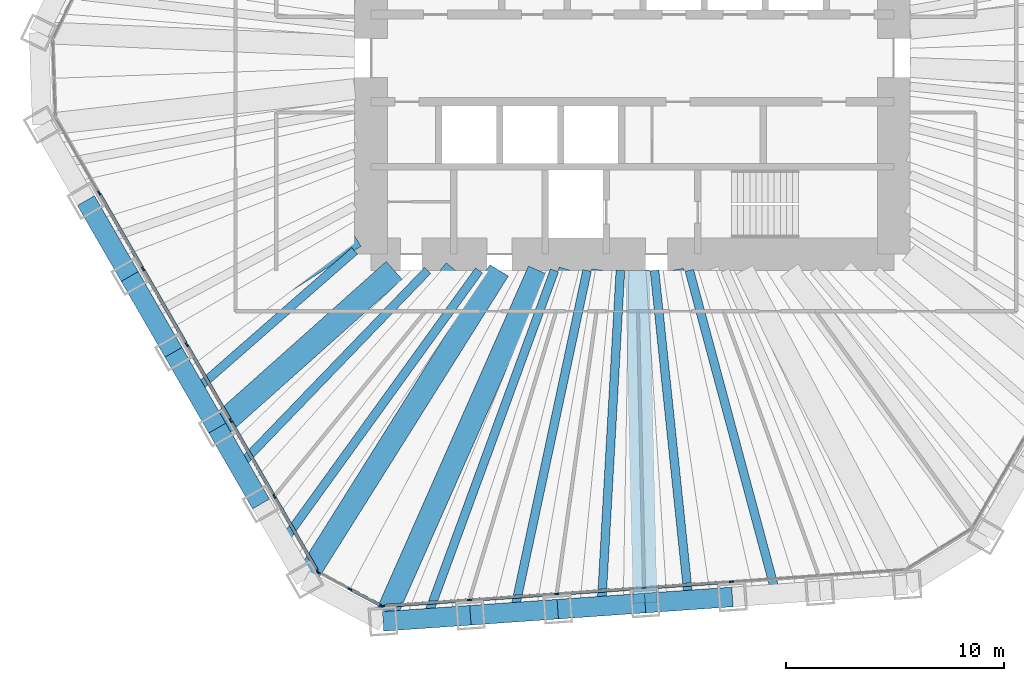
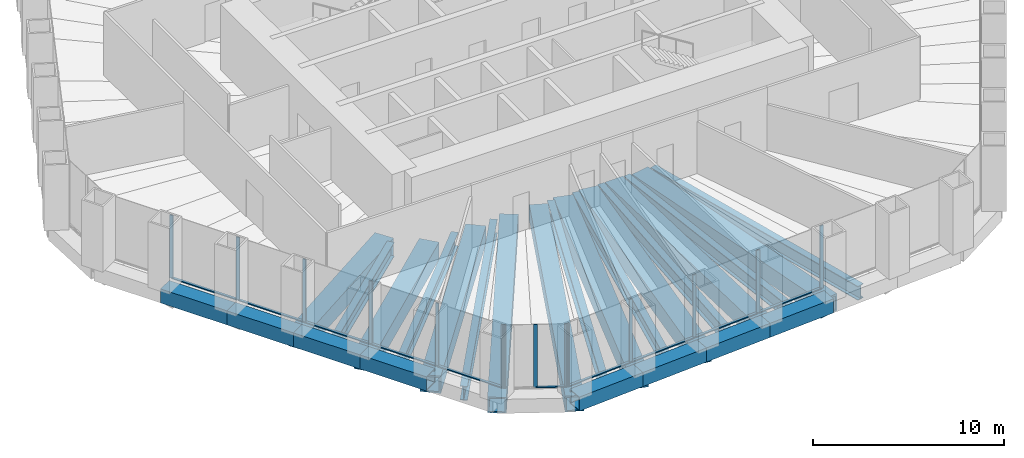
# One storey, part 2 of 12: 25 beams, 24 members, 3 elements without a shape of their own.
"""IFC4 building model written with IfcOpenShell, lengths in metres."""

from ifc_helpers import new_model, si_unit, direction, frame, origin, origin_2d, place, context, subcontext, project, spatial, rectangle, hollow_rectangle, i_section, extrude, material, material_profile, profile_set, type_object, element, aggregate, save


model = new_model("IFC4")

# Units and contexts
model_context = context("Model", 3, precision=1e-05, world=origin(), true_north=direction((0.0, 1.0)))
body_context = subcontext(model_context, "Body", "Model", "MODEL_VIEW")
ifc_project = project(units=[si_unit("LENGTHUNIT", "METRE"), si_unit("AREAUNIT", "SQUARE_METRE"), si_unit("VOLUMEUNIT", "CUBIC_METRE"), si_unit("PLANEANGLEUNIT", "RADIAN"), si_unit("MASSUNIT", "GRAM", prefix="KILO")], contexts=[model_context])

# Site, building, storey
site_placement = place(None, origin())
site = spatial("IfcSite", under=ifc_project, at=site_placement, CompositionType="ELEMENT")
building_placement = place(site_placement, origin())
building = spatial("IfcBuilding", under=site, at=building_placement, Name="Qingtian Harvest Tower", CompositionType="ELEMENT")
storey_placement = place(building_placement, frame((0.0, 0.0, 107.199951171875)))
storey = spatial("IfcBuildingStorey", under=building, at=storey_placement, Name="L21", CompositionType="ELEMENT", Elevation=107.199951171875)

# Beams
ifc_material_1 = material(Name="Steel SN490B", Category="steel")
ifc_material_profile_1 = material_profile(ifc_material_1, i_section(OverallWidth=0.39990234375, OverallDepth=0.89990234375, WebThickness=0.01904296875, FlangeThickness=0.035888671875, at=origin_2d()), Name="H900x400x19x36")
ifc_profile_set_1 = profile_set([ifc_material_profile_1], Name="Steel SN490B")
beam_type_1 = type_object("IfcBeamType", Name="Floor joist J4 H900x400x19x36", PredefinedType="JOIST", material=ifc_profile_set_1)
beam_1_placement = place(storey_placement, frame((6.59619140625, -24.599853515625, -0.619873046875), z_axis=(-0.258996688759, 0.965878209306, 0.0), x_axis=(-0.965878209306, -0.258996688759, 0.0)))
element("IfcBeam", 1, at=beam_1_placement, inside=storey, type_object=beam_type_1, Name="Floor joist J4 S1", PredefinedType="JOIST", context=body_context, shape_type="SweptSolid", body=[
    extrude(i_section(OverallWidth=0.39990234375, OverallDepth=0.89990234375, WebThickness=0.01904296875, FlangeThickness=0.035888671875, at=origin_2d()), origin(), (0.0, 0.0, 1.0), 15.37451171875),
])
beam_2_placement = place(storey_placement, frame((2.5869140625, -24.880126953125, -0.619873046875), z_axis=(-0.103423163361, 0.994637446148, 0.0), x_axis=(-0.994637446148, -0.103423163361, 0.0)))
element("IfcBeam", 2, at=beam_2_placement, inside=storey, type_object=beam_type_1, Name="Floor joist J4 S2", PredefinedType="JOIST", context=body_context, shape_type="SweptSolid", body=[
    extrude(i_section(OverallWidth=0.39990234375, OverallDepth=0.89990234375, WebThickness=0.01904296875, FlangeThickness=0.035888671875, at=origin_2d()), origin(), (0.0, 0.0, 1.0), 15.211669921875),
])
beam_3_placement = place(storey_placement, frame((-1.42236328125, -25.160400390625, -0.619873046875), z_axis=(0.05643626267, 0.998406204035, 0.0), x_axis=(-0.998406204035, 0.05643626267, 0.0)))
element("IfcBeam", 3, at=beam_3_placement, inside=storey, type_object=beam_type_1, Name="Floor joist J4 S3", PredefinedType="JOIST", context=body_context, shape_type="SweptSolid", body=[
    extrude(i_section(OverallWidth=0.39990234375, OverallDepth=0.89990234375, WebThickness=0.01904296875, FlangeThickness=0.035888671875, at=origin_2d()), origin(), (0.0, 0.0, 1.0), 15.43505859375),
])
beam_4_placement = place(storey_placement, frame((-5.431640625, -25.44091796875, -0.619873046875), z_axis=(0.208799533611, 0.977958462699, 0.0), x_axis=(-0.977958462699, 0.208799533611, 0.0)))
element("IfcBeam", 4, at=beam_4_placement, inside=storey, type_object=beam_type_1, Name="Floor joist J4 S4", PredefinedType="JOIST", context=body_context, shape_type="SweptSolid", body=[
    extrude(i_section(OverallWidth=0.39990234375, OverallDepth=0.89990234375, WebThickness=0.01904296875, FlangeThickness=0.035888671875, at=origin_2d()), origin(), (0.0, 0.0, 1.0), 16.044677734375),
])
beam_5_placement = place(storey_placement, frame((-9.44091796875, -25.72119140625, -0.619873046875), z_axis=(0.344563279886, 0.938763093732, 0.0), x_axis=(-0.938763093732, 0.344563279886, 0.0)))
element("IfcBeam", 5, at=beam_5_placement, inside=storey, type_object=beam_type_1, Name="Floor joist J4 S5", PredefinedType="JOIST", context=body_context, shape_type="SweptSolid", body=[
    extrude(i_section(OverallWidth=0.39990234375, OverallDepth=0.89990234375, WebThickness=0.01904296875, FlangeThickness=0.035888671875, at=origin_2d()), origin(), (0.0, 0.0, 1.0), 17.012939453125),
])
beam_6_placement = place(storey_placement, frame((-16.04443359375, -22.2099609375, -0.619873046875), z_axis=(0.585581016658, 0.810613886465, 0.0), x_axis=(-0.810613886465, 0.585581016658, 0.0)))
element("IfcBeam", 6, at=beam_6_placement, inside=storey, type_object=beam_type_1, Name="Floor joist J4 SW0", PredefinedType="JOIST", context=body_context, shape_type="SweptSolid", body=[
    extrude(i_section(OverallWidth=0.39990234375, OverallDepth=0.89990234375, WebThickness=0.01904296875, FlangeThickness=0.035888671875, at=origin_2d()), origin(), (0.0, 0.0, 1.0), 15.37109375),
])
beam_7_placement = place(storey_placement, frame((-18.053955078125, -18.7294921875, -0.619873046875), z_axis=(0.693999346894, 0.719975629108, 0.0), x_axis=(-0.719975629108, 0.693999346894, 0.0)))
element("IfcBeam", 7, at=beam_7_placement, inside=storey, type_object=beam_type_1, Name="Floor joist J4 SW1", PredefinedType="JOIST", context=body_context, shape_type="SweptSolid", body=[
    extrude(i_section(OverallWidth=0.39990234375, OverallDepth=0.89990234375, WebThickness=0.01904296875, FlangeThickness=0.035888671875, at=origin_2d()), origin(), (0.0, 0.0, 1.0), 12.471923828125),
])
beam_8_placement = place(storey_placement, frame((-20.063720703125, -15.248779296875, -0.619873046875), z_axis=(0.752618713562, 0.658456583228, 0.0), x_axis=(-0.658456583228, 0.752618713562, 0.0)))
element("IfcBeam", 8, at=beam_8_placement, inside=storey, type_object=beam_type_1, Name="Floor joist J4 SW2", PredefinedType="JOIST", context=body_context, shape_type="SweptSolid", body=[
    extrude(i_section(OverallWidth=0.39990234375, OverallDepth=0.89990234375, WebThickness=0.01904296875, FlangeThickness=0.035888671875, at=origin_2d()), origin(), (0.0, 0.0, 1.0), 9.7177734375),
])

# Curtain wall, members
ifc_material_2 = material(Name="Bronze-anodised aluminium curtain wall", Category="aluminium")
curtain_wall_type = type_object("IfcCurtainWallType", Name="Curtain wall CW4 office", PredefinedType="USERDEFINED", material=ifc_material_2)
curtain_wall_1_placement = place(storey_placement, origin())
curtain_wall_1 = element("IfcCurtainWall", 9, at=curtain_wall_1_placement, inside=storey, type_object=curtain_wall_type, Name="Curtain wall CW4 L21 S0-5", ObjectType="RECESSED CURTAIN WALL", PredefinedType="USERDEFINED")
ifc_material_3 = material(Name="Bronze-anodised aluminium mullion", Category="aluminium")
ifc_material_profile_2 = material_profile(ifc_material_3, rectangle(XDim=0.06494140625, YDim=0.199951171875, at=origin_2d()), Name="AL 65x200")
ifc_profile_set_2 = profile_set([ifc_material_profile_2], Name="Bronze-anodised aluminium mullion")
member_type_1 = type_object("IfcMemberType", Name="Mullion CWM 65x200", PredefinedType="MULLION", material=ifc_profile_set_2)
member_1_placement = place(storey_placement, frame((4.542724609375, -24.041748046875, 0.0), z_axis=(0.0, 0.0, 1.0), x_axis=(0.069756473744, -0.99756405026, 0.0)))
member_1 = element("IfcMember", 10, at=member_1_placement, type_object=member_type_1, Name="CW4 mullion 3", PredefinedType="MULLION", context=body_context, shape_type="SweptSolid", body=[
    extrude(rectangle(XDim=0.06494140625, YDim=0.199951171875, at=origin_2d()), origin(), (0.0, 0.0, 1.0), 4.030029296875),
])
member_2_placement = place(storey_placement, frame((0.533447265625, -24.322021484375, 0.0), z_axis=(0.0, 0.0, 1.0), x_axis=(0.069756473744, -0.99756405026, 0.0)))
member_2 = element("IfcMember", 11, at=member_2_placement, type_object=member_type_1, Name="CW4 mullion 4", PredefinedType="MULLION", context=body_context, shape_type="SweptSolid", body=[
    extrude(rectangle(XDim=0.06494140625, YDim=0.199951171875, at=origin_2d()), origin(), (0.0, 0.0, 1.0), 4.030029296875),
])
member_3_placement = place(storey_placement, frame((-3.475830078125, -24.602294921875, 0.0), z_axis=(0.0, 0.0, 1.0), x_axis=(0.069756473744, -0.99756405026, 0.0)))
member_3 = element("IfcMember", 12, at=member_3_placement, type_object=member_type_1, Name="CW4 mullion 5", PredefinedType="MULLION", context=body_context, shape_type="SweptSolid", body=[
    extrude(rectangle(XDim=0.06494140625, YDim=0.199951171875, at=origin_2d()), origin(), (0.0, 0.0, 1.0), 4.030029296875),
])
member_4_placement = place(storey_placement, frame((-7.485107421875, -24.8828125, 0.0), z_axis=(0.0, 0.0, 1.0), x_axis=(0.069756473744, -0.99756405026, 0.0)))
member_4 = element("IfcMember", 13, at=member_4_placement, type_object=member_type_1, Name="CW4 mullion 6", PredefinedType="MULLION", context=body_context, shape_type="SweptSolid", body=[
    extrude(rectangle(XDim=0.06494140625, YDim=0.199951171875, at=origin_2d()), origin(), (0.0, 0.0, 1.0), 4.030029296875),
])
member_5_placement = place(storey_placement, frame((-11.4619140625, -25.160888671875, 0.0), z_axis=(0.0, 0.0, 1.0), x_axis=(0.069756473744, -0.99756405026, 0.0)))
member_5 = element("IfcMember", 14, at=member_5_placement, type_object=member_type_1, Name="CW4 mullion 7", PredefinedType="MULLION", context=body_context, shape_type="SweptSolid", body=[
    extrude(rectangle(XDim=0.06494140625, YDim=0.199951171875, at=origin_2d()), origin(), (0.0, 0.0, 1.0), 4.030029296875),
])

curtain_wall_2_placement = place(storey_placement, origin())
curtain_wall_2 = element("IfcCurtainWall", 15, at=curtain_wall_2_placement, inside=storey, type_object=curtain_wall_type, Name="Curtain wall CW4 L21 SC", ObjectType="RECESSED CURTAIN WALL", PredefinedType="USERDEFINED")
member_6_placement = place(storey_placement, frame((-11.523193359375, -25.14794921875, 0.0), z_axis=(0.0, 0.0, 1.0), x_axis=(-0.469471562786, -0.882947592859, 0.0)))
member_6 = element("IfcMember", 16, at=member_6_placement, type_object=member_type_1, Name="CW4 mullion 1", PredefinedType="MULLION", context=body_context, shape_type="SweptSolid", body=[
    extrude(rectangle(XDim=0.06494140625, YDim=0.199951171875, at=origin_2d()), origin(), (0.0, 0.0, 1.0), 4.030029296875),
])
member_7_placement = place(storey_placement, frame((-12.964111328125, -24.3818359375, 0.0), z_axis=(0.0, 0.0, 1.0), x_axis=(-0.469471562786, -0.882947592859, 0.0)))
member_7 = element("IfcMember", 17, at=member_7_placement, type_object=member_type_1, Name="CW4 mullion 2", PredefinedType="MULLION", context=body_context, shape_type="SweptSolid", body=[
    extrude(rectangle(XDim=0.06494140625, YDim=0.199951171875, at=origin_2d()), origin(), (0.0, 0.0, 1.0), 4.030029296875),
])
member_8_placement = place(storey_placement, frame((-14.40478515625, -23.61572265625, 0.0), z_axis=(0.0, 0.0, 1.0), x_axis=(-0.469471562786, -0.882947592859, 0.0)))
member_8 = element("IfcMember", 18, at=member_8_placement, type_object=member_type_1, Name="CW4 mullion 3", PredefinedType="MULLION", context=body_context, shape_type="SweptSolid", body=[
    extrude(rectangle(XDim=0.06494140625, YDim=0.199951171875, at=origin_2d()), origin(), (0.0, 0.0, 1.0), 4.030029296875),
])

curtain_wall_3_placement = place(storey_placement, origin())
curtain_wall_3 = element("IfcCurtainWall", 19, at=curtain_wall_3_placement, inside=storey, type_object=curtain_wall_type, Name="Curtain wall CW4 L21 SW0-5", ObjectType="RECESSED CURTAIN WALL", PredefinedType="USERDEFINED")
member_9_placement = place(storey_placement, frame((-14.44970703125, -23.572265625, 0.0), z_axis=(0.0, 0.0, 1.0), x_axis=(-0.866025403784, -0.5, 0.0)))
member_9 = element("IfcMember", 20, at=member_9_placement, type_object=member_type_1, Name="CW4 mullion 1", PredefinedType="MULLION", context=body_context, shape_type="SweptSolid", body=[
    extrude(rectangle(XDim=0.06494140625, YDim=0.199951171875, at=origin_2d()), origin(), (0.0, 0.0, 1.0), 4.030029296875),
])
member_10_placement = place(storey_placement, frame((-16.443115234375, -20.11962890625, 0.0), z_axis=(0.0, 0.0, 1.0), x_axis=(-0.866025403784, -0.5, 0.0)))
member_10 = element("IfcMember", 21, at=member_10_placement, type_object=member_type_1, Name="CW4 mullion 2", PredefinedType="MULLION", context=body_context, shape_type="SweptSolid", body=[
    extrude(rectangle(XDim=0.06494140625, YDim=0.199951171875, at=origin_2d()), origin(), (0.0, 0.0, 1.0), 4.030029296875),
])
member_11_placement = place(storey_placement, frame((-18.45263671875, -16.63916015625, 0.0), z_axis=(0.0, 0.0, 1.0), x_axis=(-0.866025403784, -0.5, 0.0)))
member_11 = element("IfcMember", 22, at=member_11_placement, type_object=member_type_1, Name="CW4 mullion 3", PredefinedType="MULLION", context=body_context, shape_type="SweptSolid", body=[
    extrude(rectangle(XDim=0.06494140625, YDim=0.199951171875, at=origin_2d()), origin(), (0.0, 0.0, 1.0), 4.030029296875),
])
member_12_placement = place(storey_placement, frame((-20.462158203125, -13.158447265625, 0.0), z_axis=(0.0, 0.0, 1.0), x_axis=(-0.866025403784, -0.5, 0.0)))
member_12 = element("IfcMember", 23, at=member_12_placement, type_object=member_type_1, Name="CW4 mullion 4", PredefinedType="MULLION", context=body_context, shape_type="SweptSolid", body=[
    extrude(rectangle(XDim=0.06494140625, YDim=0.199951171875, at=origin_2d()), origin(), (0.0, 0.0, 1.0), 4.030029296875),
])
member_13_placement = place(storey_placement, frame((-22.4716796875, -9.677978515625, 0.0), z_axis=(0.0, 0.0, 1.0), x_axis=(-0.866025403784, -0.5, 0.0)))
member_13 = element("IfcMember", 24, at=member_13_placement, type_object=member_type_1, Name="CW4 mullion 5", PredefinedType="MULLION", context=body_context, shape_type="SweptSolid", body=[
    extrude(rectangle(XDim=0.06494140625, YDim=0.199951171875, at=origin_2d()), origin(), (0.0, 0.0, 1.0), 4.030029296875),
])
member_14_placement = place(storey_placement, frame((-24.481201171875, -6.197265625, 0.0), z_axis=(0.0, 0.0, 1.0), x_axis=(-0.866025403784, -0.5, 0.0)))
member_14 = element("IfcMember", 25, at=member_14_placement, type_object=member_type_1, Name="CW4 mullion 6", PredefinedType="MULLION", context=body_context, shape_type="SweptSolid", body=[
    extrude(rectangle(XDim=0.06494140625, YDim=0.199951171875, at=origin_2d()), origin(), (0.0, 0.0, 1.0), 4.030029296875),
])

# Beams
ifc_material_4 = material(Name="Steel SM570MC", Category="steel")
ifc_material_profile_3 = material_profile(ifc_material_4, hollow_rectangle(XDim=1.0, YDim=1.0, WallThickness=0.080078125, at=origin_2d()), Name="BOX1000x1000x80")
ifc_profile_set_3 = profile_set([ifc_material_profile_3], Name="Steel SM570MC")
beam_type_2 = type_object("IfcBeamType", Name="Transfer corner beam FB11 BOX1000x1000x80", PredefinedType="BEAM", material=ifc_profile_set_3)
beam_9_placement = place(storey_placement, frame((-11.445556640625, -25.861328125, -0.669921875), z_axis=(0.404705702755, 0.914446988161, 0.0), x_axis=(-0.914446988161, 0.404705702755, 0.0)))
element("IfcBeam", 26, at=beam_9_placement, inside=storey, type_object=beam_type_2, Name="Floor beam FB11 S6", PredefinedType="BEAM", context=body_context, shape_type="SweptSolid", body=[
    extrude(hollow_rectangle(XDim=1.0, YDim=1.0, WallThickness=0.080078125, at=origin_2d()), origin(), (0.0, 0.0, 1.0), 17.61865234375),
])
beam_10_placement = place(storey_placement, frame((-15.039794921875, -23.950439453125, -0.669921875), z_axis=(0.531797274443, 0.846871689747, 0.0), x_axis=(-0.846871689747, 0.531797274443, 0.0)))
element("IfcBeam", 27, at=beam_10_placement, inside=storey, type_object=beam_type_2, Name="Floor beam FB11 SW0", PredefinedType="BEAM", context=body_context, shape_type="SweptSolid", body=[
    extrude(hollow_rectangle(XDim=1.0, YDim=1.0, WallThickness=0.080078125, at=origin_2d()), origin(), (0.0, 0.0, 1.0), 16.76806640625),
])
ifc_material_5 = material(Name="Steel SM570MC", Category="steel")
ifc_material_profile_4 = material_profile(ifc_material_5, hollow_rectangle(XDim=1.10009765625, YDim=1.10009765625, WallThickness=0.10009765625, at=origin_2d()), Name="BOX1100x1100x100")
ifc_profile_set_4 = profile_set([ifc_material_profile_4], Name="Steel SM570MC")
beam_type_3 = type_object("IfcBeamType", Name="Transfer floor beam FB9 BOX1100x1100x100", PredefinedType="BEAM", material=ifc_profile_set_4)
beam_11_placement = place(storey_placement, frame((4.591552734375, -24.739990234375, -0.719970703125), z_axis=(-0.182473442032, 0.983210782565, 0.0), x_axis=(-0.983210782565, -0.182473442032, 0.0)))
element("IfcBeam", 28, at=beam_11_placement, inside=storey, type_object=beam_type_3, Name="Floor beam FB9 S2", PredefinedType="BEAM", context=body_context, shape_type="SweptSolid", body=[
    extrude(hollow_rectangle(XDim=1.10009765625, YDim=1.10009765625, WallThickness=0.10009765625, at=origin_2d()), origin(), (0.0, 0.0, 1.0), 15.245849609375),
])
beam_12_placement = place(storey_placement, frame((0.582275390625, -25.020263671875, -0.719970703125), z_axis=(-0.023272189962, 0.999729165912, 0.0), x_axis=(-0.999729165912, -0.023272189962, 0.0)))
element("IfcBeam", 29, at=beam_12_placement, inside=storey, type_object=beam_type_3, Name="Floor beam FB9 S3", PredefinedType="BEAM", context=body_context, shape_type="SweptSolid", body=[
    extrude(hollow_rectangle(XDim=1.10009765625, YDim=1.10009765625, WallThickness=0.10009765625, at=origin_2d()), origin(), (0.0, 0.0, 1.0), 15.2744140625),
])
beam_13_placement = place(storey_placement, frame((-3.427001953125, -25.30078125, -0.719970703125), z_axis=(0.134230066005, 0.990950195207, 0.0), x_axis=(-0.990950195207, 0.134230066005, 0.0)))
element("IfcBeam", 30, at=beam_13_placement, inside=storey, type_object=beam_type_3, Name="Floor beam FB9 S4", PredefinedType="BEAM", context=body_context, shape_type="SweptSolid", body=[
    extrude(hollow_rectangle(XDim=1.10009765625, YDim=1.10009765625, WallThickness=0.10009765625, at=origin_2d()), origin(), (0.0, 0.0, 1.0), 15.69287109375),
])
beam_14_placement = place(storey_placement, frame((-7.436279296875, -25.5810546875, -0.719970703125), z_axis=(0.279142362954, 0.960249728562, 0.0), x_axis=(-0.960249728562, 0.279142362954, 0.0)))
element("IfcBeam", 31, at=beam_14_placement, inside=storey, type_object=beam_type_3, Name="Floor beam FB9 S5", PredefinedType="BEAM", context=body_context, shape_type="SweptSolid", body=[
    extrude(hollow_rectangle(XDim=1.10009765625, YDim=1.10009765625, WallThickness=0.10009765625, at=origin_2d()), origin(), (0.0, 0.0, 1.0), 16.486328125),
])
beam_15_placement = place(storey_placement, frame((-17.04931640625, -20.4697265625, -0.719970703125), z_axis=(0.639988150605, 0.768384778015, 0.0), x_axis=(-0.768384778015, 0.639988150605, 0.0)))
element("IfcBeam", 32, at=beam_15_placement, inside=storey, type_object=beam_type_3, Name="Floor beam FB9 SW1", PredefinedType="BEAM", context=body_context, shape_type="SweptSolid", body=[
    extrude(hollow_rectangle(XDim=1.10009765625, YDim=1.10009765625, WallThickness=0.10009765625, at=origin_2d()), origin(), (0.0, 0.0, 1.0), 13.950927734375),
])
beam_16_placement = place(storey_placement, frame((-19.058837890625, -16.989013671875, -0.719970703125), z_axis=(0.746483707908, 0.665403692376, 0.0), x_axis=(-0.665403692376, 0.746483707908, 0.0)))
element("IfcBeam", 33, at=beam_16_placement, inside=storey, type_object=beam_type_3, Name="Floor beam FB9 SW2", PredefinedType="BEAM", context=body_context, shape_type="SweptSolid", body=[
    extrude(hollow_rectangle(XDim=1.10009765625, YDim=1.10009765625, WallThickness=0.10009765625, at=origin_2d()), origin(), (0.0, 0.0, 1.0), 10.879150390625),
])
beam_17_placement = place(storey_placement, frame((-21.068359375, -13.508544921875, -0.719970703125), z_axis=(0.841823295753, 0.539753220211, 0.0), x_axis=(-0.539753220211, 0.841823295753, 0.0)))
element("IfcBeam", 34, at=beam_17_placement, inside=storey, type_object=beam_type_3, Name="Floor beam FB9 SW3", PredefinedType="BEAM", context=body_context, shape_type="SweptSolid", body=[
    extrude(hollow_rectangle(XDim=1.10009765625, YDim=1.10009765625, WallThickness=0.10009765625, at=origin_2d()), origin(), (0.0, 0.0, 1.0), 9.88134765625),
])
ifc_material_6 = material(Name="Steel SM570MC", Category="steel")
ifc_material_profile_5 = material_profile(ifc_material_6, hollow_rectangle(XDim=0.89990234375, YDim=0.89990234375, WallThickness=0.050048828125, at=origin_2d()), Name="BOX900x900x50")
ifc_profile_set_5 = profile_set([ifc_material_profile_5], Name="Steel SM570MC")
beam_type_4 = type_object("IfcBeamType", Name="Transition spandrel SB6 BOX900x900x50", PredefinedType="SPANDREL", material=ifc_profile_set_5)
for number, where, z_axis, x_axis, name in (
    (35, (4.591552734375, -24.739990234375, -0.449951171875), (-0.997565479251, -0.069736035208, 0.0), (0.069736035208, -0.997565479251, 0.0), "Spandrel SB6 S2"),
    (36, (0.582275390625, -25.020263671875, -0.449951171875), (-0.997561251588, -0.069796485086, 0.0), (0.069796485086, -0.997561251588, 0.0), "Spandrel SB6 S3"),
    (37, (-3.427001953125, -25.30078125, -0.449951171875), (-0.997565479251, -0.069736035208, 0.0), (0.069736035208, -0.997565479251, 0.0), "Spandrel SB6 S4"),
    (38, (-7.436279296875, -25.5810546875, -0.449951171875), (-0.997565479251, -0.069736035208, 0.0), (0.069736035208, -0.997565479251, 0.0), "Spandrel SB6 S5"),
    (39, (-17.04931640625, -20.4697265625, -0.449951171875), (-0.499987116613, 0.866032841884, 0.0), (-0.866032841884, -0.499987116613, 0.0), "Spandrel SB6 SW1"),
    (40, (-19.058837890625, -16.989013671875, -0.449951171875), (-0.500013420409, 0.866017655369, 0.0), (-0.866017655369, -0.500013420409, 0.0), "Spandrel SB6 SW2"),
    (41, (-21.068359375, -13.508544921875, -0.449951171875), (-0.499987116613, 0.866032841884, 0.0), (-0.866032841884, -0.499987116613, 0.0), "Spandrel SB6 SW3"),
    (42, (-23.077880859375, -10.02783203125, -0.449951171875), (-0.499987116613, 0.866032841884, 0.0), (-0.866032841884, -0.499987116613, 0.0), "Spandrel SB6 SW4"),
):
    element("IfcBeam", number, at=place(storey_placement, frame(where, z_axis=z_axis, x_axis=x_axis)), inside=storey, type_object=beam_type_4, Name=name, PredefinedType="SPANDREL", context=body_context, shape_type="SweptSolid", body=[
        extrude(hollow_rectangle(XDim=0.89990234375, YDim=0.89990234375, WallThickness=0.050048828125, at=origin_2d()), origin(), (0.0, 0.0, 1.0), 4.01904296875),
    ])

# Member
ifc_material_7 = material(Name="Bronze-anodised aluminium transom", Category="aluminium")
ifc_material_profile_6 = material_profile(ifc_material_7, rectangle(XDim=0.14990234375, YDim=0.06494140625, at=origin_2d()), Name="AL 65x150")
ifc_profile_set_6 = profile_set([ifc_material_profile_6], Name="Bronze-anodised aluminium transom")
member_type_2 = type_object("IfcMemberType", Name="Transom CWT 65x150", PredefinedType="USERDEFINED", material=ifc_profile_set_6)
member_15_placement = place(storey_placement, frame((4.51025390625, -24.0439453125, 0.032470703125), z_axis=(-0.997562922571, -0.069772598571, 0.0), x_axis=(0.069772598571, -0.997562922571, 0.0)))
member_15 = element("IfcMember", 43, at=member_15_placement, type_object=member_type_2, Name="CW4 transom 3.1", ObjectType="TRANSOM", PredefinedType="USERDEFINED", context=body_context, shape_type="SweptSolid", body=[
    extrude(rectangle(XDim=0.14990234375, YDim=0.06494140625, at=origin_2d()), origin(), (0.0, 0.0, 1.0), 3.953857421875),
])

member_16_placement = place(storey_placement, frame((0.5009765625, -24.32421875, 0.032470703125), z_axis=(-0.997562922571, -0.069772598571, 0.0), x_axis=(0.069772598571, -0.997562922571, 0.0)))
member_16 = element("IfcMember", 44, at=member_16_placement, type_object=member_type_2, Name="CW4 transom 4.1", ObjectType="TRANSOM", PredefinedType="USERDEFINED", context=body_context, shape_type="SweptSolid", body=[
    extrude(rectangle(XDim=0.14990234375, YDim=0.06494140625, at=origin_2d()), origin(), (0.0, 0.0, 1.0), 3.953857421875),
])

member_17_placement = place(storey_placement, frame((-3.50830078125, -24.604736328125, 0.032470703125), z_axis=(-0.997567218353, -0.069711153102, 0.0), x_axis=(0.069711153102, -0.997567218353, 0.0)))
member_17 = element("IfcMember", 45, at=member_17_placement, type_object=member_type_2, Name="CW4 transom 5.1", ObjectType="TRANSOM", PredefinedType="USERDEFINED", context=body_context, shape_type="SweptSolid", body=[
    extrude(rectangle(XDim=0.14990234375, YDim=0.06494140625, at=origin_2d()), origin(), (0.0, 0.0, 1.0), 3.953857421875),
])

member_18_placement = place(storey_placement, frame((-7.517578125, -24.885009765625, 0.032470703125), z_axis=(-0.997561915105, -0.069787001175, 0.0), x_axis=(0.069787001175, -0.997561915105, 0.0)))
member_18 = element("IfcMember", 46, at=member_18_placement, type_object=member_type_2, Name="CW4 transom 6.1", ObjectType="TRANSOM", PredefinedType="USERDEFINED", context=body_context, shape_type="SweptSolid", body=[
    extrude(rectangle(XDim=0.14990234375, YDim=0.06494140625, at=origin_2d()), origin(), (0.0, 0.0, 1.0), 3.921630859375),
])

aggregate(curtain_wall_1, [member_1, member_2, member_3, member_4, member_5, member_15, member_16, member_17, member_18])

member_19_placement = place(storey_placement, frame((-11.5517578125, -25.132568359375, 0.032470703125), z_axis=(-0.882960338349, 0.46944759122, 0.0), x_axis=(-0.46944759122, -0.882960338349, 0.0)))
member_19 = element("IfcMember", 47, at=member_19_placement, type_object=member_type_2, Name="CW4 transom 1.1", ObjectType="TRANSOM", PredefinedType="USERDEFINED", context=body_context, shape_type="SweptSolid", body=[
    extrude(rectangle(XDim=0.14990234375, YDim=0.06494140625, at=origin_2d()), origin(), (0.0, 0.0, 1.0), 1.56689453125),
])

aggregate(curtain_wall_2, [member_6, member_7, member_8, member_19])

member_20_placement = place(storey_placement, frame((-14.466064453125, -23.5439453125, 0.032470703125), z_axis=(-0.500002696854, 0.866023846749, 0.0), x_axis=(-0.866023846749, -0.500002696854, 0.0)))
member_20 = element("IfcMember", 48, at=member_20_placement, type_object=member_type_2, Name="CW4 transom 1.1", ObjectType="TRANSOM", PredefinedType="USERDEFINED", context=body_context, shape_type="SweptSolid", body=[
    extrude(rectangle(XDim=0.14990234375, YDim=0.06494140625, at=origin_2d()), origin(), (0.0, 0.0, 1.0), 3.92138671875),
])

member_21_placement = place(storey_placement, frame((-16.459228515625, -20.091552734375, 0.032470703125), z_axis=(-0.500003941941, 0.866023127892, 0.0), x_axis=(-0.866023127892, -0.500003941941, 0.0)))
member_21 = element("IfcMember", 49, at=member_21_placement, type_object=member_type_2, Name="CW4 transom 2.1", ObjectType="TRANSOM", PredefinedType="USERDEFINED", context=body_context, shape_type="SweptSolid", body=[
    extrude(rectangle(XDim=0.14990234375, YDim=0.06494140625, at=origin_2d()), origin(), (0.0, 0.0, 1.0), 3.9541015625),
])

member_22_placement = place(storey_placement, frame((-18.468994140625, -16.611083984375, 0.032470703125), z_axis=(-0.49993089783, 0.866065296265, 0.0), x_axis=(-0.866065296265, -0.49993089783, 0.0)))
member_22 = element("IfcMember", 50, at=member_22_placement, type_object=member_type_2, Name="CW4 transom 3.1", ObjectType="TRANSOM", PredefinedType="USERDEFINED", context=body_context, shape_type="SweptSolid", body=[
    extrude(rectangle(XDim=0.14990234375, YDim=0.06494140625, at=origin_2d()), origin(), (0.0, 0.0, 1.0), 3.9541015625),
])

member_23_placement = place(storey_placement, frame((-20.478515625, -13.13037109375, 0.032470703125), z_axis=(-0.500003941941, 0.866023127892, 0.0), x_axis=(-0.866023127892, -0.500003941941, 0.0)))
member_23 = element("IfcMember", 51, at=member_23_placement, type_object=member_type_2, Name="CW4 transom 4.1", ObjectType="TRANSOM", PredefinedType="USERDEFINED", context=body_context, shape_type="SweptSolid", body=[
    extrude(rectangle(XDim=0.14990234375, YDim=0.06494140625, at=origin_2d()), origin(), (0.0, 0.0, 1.0), 3.9541015625),
])

member_24_placement = place(storey_placement, frame((-22.488037109375, -9.649658203125, 0.032470703125), z_axis=(-0.500003941941, 0.866023127892, 0.0), x_axis=(-0.866023127892, -0.500003941941, 0.0)))
member_24 = element("IfcMember", 52, at=member_24_placement, type_object=member_type_2, Name="CW4 transom 5.1", ObjectType="TRANSOM", PredefinedType="USERDEFINED", context=body_context, shape_type="SweptSolid", body=[
    extrude(rectangle(XDim=0.14990234375, YDim=0.06494140625, at=origin_2d()), origin(), (0.0, 0.0, 1.0), 3.9541015625),
])

aggregate(curtain_wall_3, [member_9, member_10, member_11, member_12, member_13, member_14, member_20, member_21, member_22, member_23, member_24])

save(model, "model.ifc")
